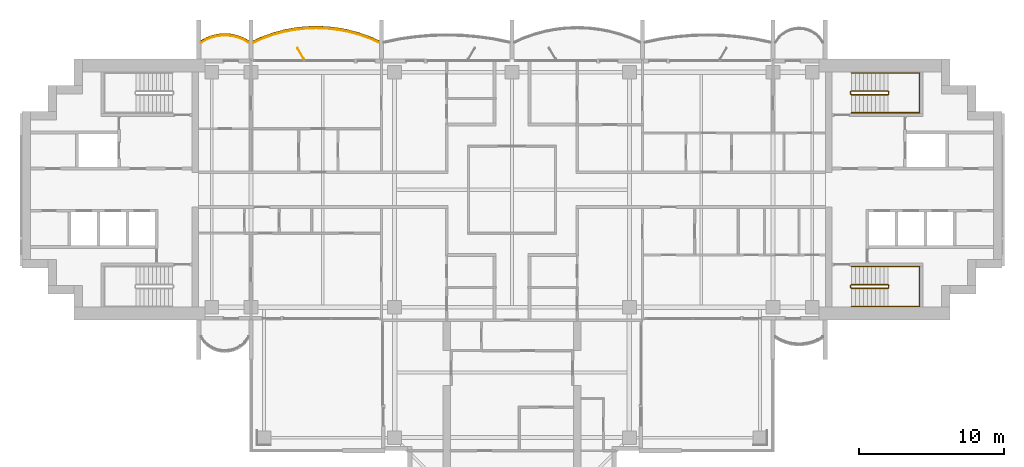
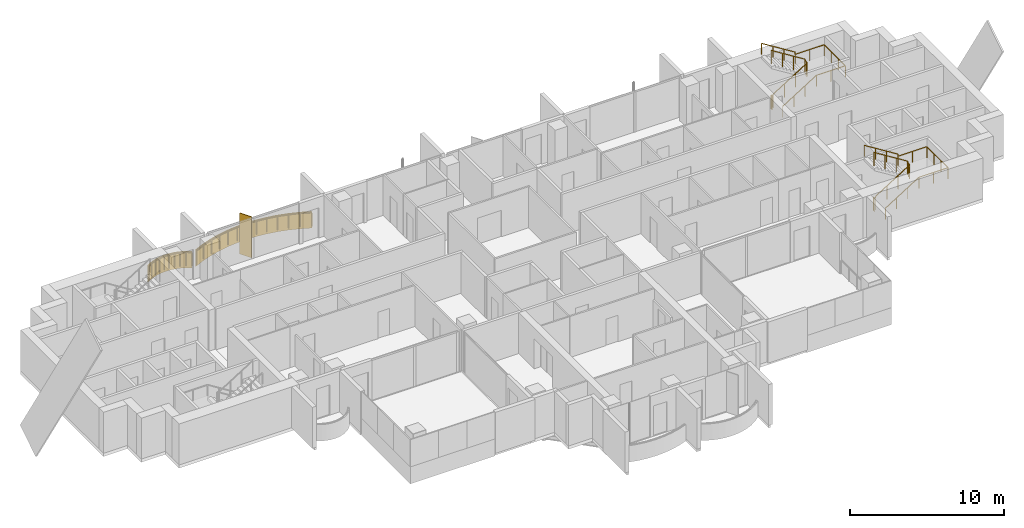
# One storey, part 16 of 17: 6 railings, 2 coverings, 1 shading device.
"""IFC4 building model written with IfcOpenShell, lengths in metres."""

from ifc_helpers import new_model, si_unit, direction, frame, origin, origin_2d, place, context, subcontext, project, spatial, polyline, rectangle, outline, extrude, material, layer, layer_set, type_object, element, save


model = new_model("IFC4")

# Units and contexts
model_context = context("Model", 3, precision=1e-05, world=origin(), true_north=direction((0.0, 1.0)))
body_context = subcontext(model_context, "Body", "Model", "MODEL_VIEW")
ifc_project = project(units=[si_unit("LENGTHUNIT", "METRE"), si_unit("AREAUNIT", "SQUARE_METRE"), si_unit("VOLUMEUNIT", "CUBIC_METRE"), si_unit("PLANEANGLEUNIT", "RADIAN"), si_unit("MASSUNIT", "GRAM", prefix="KILO")], contexts=[model_context])

# Site, building, storey
site_placement = place(None, origin())
site = spatial("IfcSite", under=ifc_project, at=site_placement, CompositionType="ELEMENT")
building_placement = place(site_placement, origin())
building = spatial("IfcBuilding", under=site, at=building_placement, Name="Perihelion Cross Residences", CompositionType="ELEMENT")
storey_placement = place(building_placement, frame((0.0, 0.0, 180.60009765625)))
storey = spatial("IfcBuildingStorey", under=building, at=storey_placement, Name="L44", CompositionType="ELEMENT", Elevation=180.60009765625)

# Coverings
ifc_material_1 = material(Name="Bronze anodised aluminium", Category="aluminium")
ifc_layer_1 = layer(ifc_material_1, 0.070068359375)
ifc_layer_set_1 = layer_set([ifc_layer_1], Name="Balcony fascia 1300")
covering_type = type_object("IfcCoveringType", Name="Balcony fascia 1300", PredefinedType="CLADDING", material=ifc_layer_set_1)
covering_1_placement = place(storey_placement, frame((0.0, 0.0, -0.2001953125)))
element("IfcCovering", 1, at=covering_1_placement, inside=storey, type_object=covering_type, Name="Fascia BF1 L44 west side north bay 1", PredefinedType="CLADDING", context=body_context, shape_type="SweptSolid", body=[
    extrude(outline(polyline([(-9.849365234375, 10.582275390625), (-10.57958984375, 10.83544921875), (-11.309814453125, 11.028076171875), (-12.039794921875, 11.1630859375), (-12.77001953125, 11.243408203125), (-13.5, 11.27001953125), (-14.22998046875, 11.243408203125), (-14.960205078125, 11.1630859375), (-15.690185546875, 11.028076171875), (-16.42041015625, 10.83544921875), (-17.150634765625, 10.582275390625), (-17.85009765625, 10.2763671875), (-17.85009765625, 10.199951171875), (-17.125, 10.51708984375), (-16.39990234375, 10.7685546875), (-15.675048828125, 10.959716796875), (-14.949951171875, 11.093994140625), (-14.22509765625, 11.173583984375), (-13.5, 11.199951171875), (-12.77490234375, 11.173583984375), (-12.050048828125, 11.093994140625), (-11.324951171875, 10.959716796875), (-10.60009765625, 10.7685546875), (-9.875, 10.51708984375), (-9.14990234375, 10.199951171875), (-9.14990234375, 10.2763671875), (-9.849365234375, 10.582275390625)])), origin(), (0.0, 0.0, 1.0), 1.300048828125),
])
covering_2_placement = place(storey_placement, frame((0.0, 0.0, -0.2001953125)))
element("IfcCovering", 2, at=covering_2_placement, inside=storey, type_object=covering_type, Name="Fascia BF1 L44 west side north bay 2", PredefinedType="CLADDING", context=body_context, shape_type="SweptSolid", body=[
    extrude(outline(polyline([(-18.486328125, 10.4716796875), (-18.861572265625, 10.62158203125), (-19.237060546875, 10.717529296875), (-19.6123046875, 10.76416015625), (-19.987548828125, 10.76416015625), (-20.363037109375, 10.717529296875), (-20.73828125, 10.62158203125), (-21.11376953125, 10.4716796875), (-21.449951171875, 10.280517578125), (-21.449951171875, 10.199951171875), (-21.083251953125, 10.40869140625), (-20.716552734375, 10.55517578125), (-20.35009765625, 10.648681640625), (-19.9833984375, 10.6943359375), (-19.61669921875, 10.6943359375), (-19.25, 10.648681640625), (-18.88330078125, 10.55517578125), (-18.5166015625, 10.40869140625), (-18.14990234375, 10.199951171875), (-18.14990234375, 10.280517578125), (-18.486328125, 10.4716796875)])), origin(), (0.0, 0.0, 1.0), 1.300048828125),
])

# Railings
ifc_material_2 = material(Name="Bronze anodised aluminium", Category="aluminium")
railing_type_1 = type_object("IfcRailingType", Name="Balcony guard 1100", PredefinedType="GUARDRAIL", material=ifc_material_2)
railing_1_placement = place(storey_placement, frame((-9.175048828125, 10.139892578125, 0.0)))
element("IfcRailing", 3, at=railing_1_placement, inside=storey, type_object=railing_type_1, Name="Guard GU1 L44 west side north bay 1 balcony", PredefinedType="GUARDRAIL", context=body_context, shape_type="SweptSolid", body=[
    extrude(rectangle(XDim=0.048095703125, YDim=0.048095703125, at=origin_2d()), frame((0.0, 0.0, 1.076171875), z_axis=(-0.910866309087, 0.412701547089, 0.0), x_axis=(-0.412701547089, -0.910866309087, 0.0)), (0.0, 0.0, 1.0), 0.7685546875),
    extrude(rectangle(XDim=0.048095703125, YDim=0.048095703125, at=origin_2d()), frame((-0.699951171875, 0.317138671875, 1.076171875), z_axis=(-0.944796812452, 0.327656807012, 0.0), x_axis=(-0.327656807012, -0.944796812452, 0.0)), (0.0, 0.0, 1.0), 0.767578125),
    extrude(rectangle(XDim=0.048095703125, YDim=0.048095703125, at=origin_2d()), frame((-1.425048828125, 0.568603515625, 1.076171875), z_axis=(-0.966939404945, 0.255006249266, 0.0), x_axis=(-0.255006249266, -0.966939404945, 0.0)), (0.0, 0.0, 1.0), 0.749755859375),
    extrude(rectangle(XDim=0.048095703125, YDim=0.048095703125, at=origin_2d()), frame((-2.14990234375, 0.759765625, 1.076171875), z_axis=(-0.983282004984, 0.182089260182, 0.0), x_axis=(-0.182089260182, -0.983282004984, 0.0)), (0.0, 0.0, 1.0), 0.7373046875),
    extrude(rectangle(XDim=0.048095703125, YDim=0.048095703125, at=origin_2d()), frame((-2.875, 0.89404296875, 1.076171875), z_axis=(-0.994025805622, 0.109145305703, 0.0), x_axis=(-0.109145305703, -0.994025805622, 0.0)), (0.0, 0.0, 1.0), 0.729248046875),
    extrude(rectangle(XDim=0.048095703125, YDim=0.048095703125, at=origin_2d()), frame((-3.599853515625, 0.9736328125, 1.076171875), z_axis=(-0.999339497946, 0.036339618107, 0.0), x_axis=(-0.036339618107, -0.999339497946, 0.0)), (0.0, 0.0, 1.0), 0.7255859375),
    extrude(rectangle(XDim=0.048095703125, YDim=0.048095703125, at=origin_2d()), frame((-4.324951171875, 1.0, 1.076171875), z_axis=(-0.999339497946, -0.036339618107, 0.0), x_axis=(0.036339618107, -0.999339497946, 0.0)), (0.0, 0.0, 1.0), 0.7255859375),
    extrude(rectangle(XDim=0.048095703125, YDim=0.048095703125, at=origin_2d()), frame((-5.050048828125, 0.9736328125, 1.076171875), z_axis=(-0.994025805622, -0.109145305703, 0.0), x_axis=(0.109145305703, -0.994025805622, 0.0)), (0.0, 0.0, 1.0), 0.729248046875),
    extrude(rectangle(XDim=0.048095703125, YDim=0.048095703125, at=origin_2d()), frame((-5.77490234375, 0.89404296875, 1.076171875), z_axis=(-0.983282004984, -0.182089260182, 0.0), x_axis=(0.182089260182, -0.983282004984, 0.0)), (0.0, 0.0, 1.0), 0.7373046875),
    extrude(rectangle(XDim=0.048095703125, YDim=0.048095703125, at=origin_2d()), frame((-6.5, 0.759765625, 1.076171875), z_axis=(-0.966939404945, -0.255006249266, 0.0), x_axis=(0.255006249266, -0.966939404945, 0.0)), (0.0, 0.0, 1.0), 0.749755859375),
    extrude(rectangle(XDim=0.048095703125, YDim=0.048095703125, at=origin_2d()), frame((-7.224853515625, 0.568603515625, 1.076171875), z_axis=(-0.944796812452, -0.327656807012, 0.0), x_axis=(0.327656807012, -0.944796812452, 0.0)), (0.0, 0.0, 1.0), 0.767578125),
    extrude(rectangle(XDim=0.048095703125, YDim=0.048095703125, at=origin_2d()), frame((-7.949951171875, 0.317138671875, 1.076171875), z_axis=(-0.910866309087, -0.412701547089, 0.0), x_axis=(0.412701547089, -0.910866309087, 0.0)), (0.0, 0.0, 1.0), 0.7685546875),
    extrude(rectangle(XDim=0.0419921875, YDim=0.0419921875, at=origin_2d()), origin(), (0.0, 0.0, 1.0), 1.052001953125),
    extrude(rectangle(XDim=0.0419921875, YDim=0.0419921875, at=origin_2d()), frame((-0.699951171875, 0.317138671875, 0.0)), (0.0, 0.0, 1.0), 1.052001953125),
    extrude(rectangle(XDim=0.0419921875, YDim=0.0419921875, at=origin_2d()), frame((-1.425048828125, 0.568603515625, 0.0)), (0.0, 0.0, 1.0), 1.052001953125),
    extrude(rectangle(XDim=0.0419921875, YDim=0.0419921875, at=origin_2d()), frame((-2.14990234375, 0.759765625, 0.0)), (0.0, 0.0, 1.0), 1.052001953125),
    extrude(rectangle(XDim=0.0419921875, YDim=0.0419921875, at=origin_2d()), frame((-2.875, 0.89404296875, 0.0)), (0.0, 0.0, 1.0), 1.052001953125),
    extrude(rectangle(XDim=0.0419921875, YDim=0.0419921875, at=origin_2d()), frame((-3.599853515625, 0.9736328125, 0.0)), (0.0, 0.0, 1.0), 1.052001953125),
    extrude(rectangle(XDim=0.0419921875, YDim=0.0419921875, at=origin_2d()), frame((-4.324951171875, 1.0, 0.0)), (0.0, 0.0, 1.0), 1.052001953125),
    extrude(rectangle(XDim=0.0419921875, YDim=0.0419921875, at=origin_2d()), frame((-5.050048828125, 0.9736328125, 0.0)), (0.0, 0.0, 1.0), 1.052001953125),
    extrude(rectangle(XDim=0.0419921875, YDim=0.0419921875, at=origin_2d()), frame((-5.77490234375, 0.89404296875, 0.0)), (0.0, 0.0, 1.0), 1.052001953125),
    extrude(rectangle(XDim=0.0419921875, YDim=0.0419921875, at=origin_2d()), frame((-6.5, 0.759765625, 0.0)), (0.0, 0.0, 1.0), 1.052001953125),
    extrude(rectangle(XDim=0.0419921875, YDim=0.0419921875, at=origin_2d()), frame((-7.224853515625, 0.568603515625, 0.0)), (0.0, 0.0, 1.0), 1.052001953125),
    extrude(rectangle(XDim=0.0419921875, YDim=0.0419921875, at=origin_2d()), frame((-7.949951171875, 0.317138671875, 0.0)), (0.0, 0.0, 1.0), 1.052001953125),
    extrude(rectangle(XDim=0.0419921875, YDim=0.0419921875, at=origin_2d()), frame((-8.64990234375, 0.0, 0.0)), (0.0, 0.0, 1.0), 1.052001953125),
])
railing_2_placement = place(storey_placement, frame((-18.175048828125, 10.139892578125, 0.0)))
element("IfcRailing", 4, at=railing_2_placement, inside=storey, type_object=railing_type_1, Name="Guard GU1 L44 west side north bay 2 balcony", PredefinedType="GUARDRAIL", context=body_context, shape_type="SweptSolid", body=[
    extrude(rectangle(XDim=0.048095703125, YDim=0.048095703125, at=origin_2d()), frame((0.0, 0.0, 1.076171875), z_axis=(-0.853266756821, 0.52147467983, 0.0), x_axis=(-0.52147467983, -0.853266756821, 0.0)), (0.0, 0.0, 1.0), 0.400390625),
    extrude(rectangle(XDim=0.048095703125, YDim=0.048095703125, at=origin_2d()), frame((-0.341552734375, 0.208740234375, 1.076171875), z_axis=(-0.928647151248, 0.37096424151, 0.0), x_axis=(-0.37096424151, -0.928647151248, 0.0)), (0.0, 0.0, 1.0), 0.394775390625),
    extrude(rectangle(XDim=0.048095703125, YDim=0.048095703125, at=origin_2d()), frame((-0.708251953125, 0.355224609375, 1.076171875), z_axis=(-0.968993337782, 0.247086849781, 0.0), x_axis=(-0.247086849781, -0.968993337782, 0.0)), (0.0, 0.0, 1.0), 0.37841796875),
    extrude(rectangle(XDim=0.048095703125, YDim=0.048095703125, at=origin_2d()), frame((-1.074951171875, 0.44873046875, 1.076171875), z_axis=(-0.992338742457, 0.123546834114, 0.0), x_axis=(-0.123546834114, -0.992338742457, 0.0)), (0.0, 0.0, 1.0), 0.36962890625),
    extrude(rectangle(XDim=0.048095703125, YDim=0.048095703125, at=origin_2d()), frame((-1.441650390625, 0.494384765625, 1.076171875), z_axis=(-1.0, 0.0, 0.0), x_axis=(0.0, -1.0, 0.0)), (0.0, 0.0, 1.0), 0.36669921875),
    extrude(rectangle(XDim=0.048095703125, YDim=0.048095703125, at=origin_2d()), frame((-1.808349609375, 0.494384765625, 1.076171875), z_axis=(-0.992338742457, -0.123546834114, 0.0), x_axis=(0.123546834114, -0.992338742457, 0.0)), (0.0, 0.0, 1.0), 0.36962890625),
    extrude(rectangle(XDim=0.048095703125, YDim=0.048095703125, at=origin_2d()), frame((-2.175048828125, 0.44873046875, 1.076171875), z_axis=(-0.968953914071, -0.247241405123, 0.0), x_axis=(0.247241405123, -0.968953914071, 0.0)), (0.0, 0.0, 1.0), 0.378173828125),
    extrude(rectangle(XDim=0.048095703125, YDim=0.048095703125, at=origin_2d()), frame((-2.54150390625, 0.355224609375, 1.076171875), z_axis=(-0.928647151248, -0.37096424151, 0.0), x_axis=(0.37096424151, -0.928647151248, 0.0)), (0.0, 0.0, 1.0), 0.394775390625),
    extrude(rectangle(XDim=0.048095703125, YDim=0.048095703125, at=origin_2d()), frame((-2.908203125, 0.208740234375, 1.076171875), z_axis=(-0.853432484338, -0.521203410078, 0.0), x_axis=(0.521203410078, -0.853432484338, 0.0)), (0.0, 0.0, 1.0), 0.400390625),
    extrude(rectangle(XDim=0.0419921875, YDim=0.0419921875, at=origin_2d()), origin(), (0.0, 0.0, 1.0), 1.052001953125),
    extrude(rectangle(XDim=0.0419921875, YDim=0.0419921875, at=origin_2d()), frame((-0.341552734375, 0.208740234375, 0.0)), (0.0, 0.0, 1.0), 1.052001953125),
    extrude(rectangle(XDim=0.0419921875, YDim=0.0419921875, at=origin_2d()), frame((-0.708251953125, 0.355224609375, 0.0)), (0.0, 0.0, 1.0), 1.052001953125),
    extrude(rectangle(XDim=0.0419921875, YDim=0.0419921875, at=origin_2d()), frame((-1.074951171875, 0.44873046875, 0.0)), (0.0, 0.0, 1.0), 1.052001953125),
    extrude(rectangle(XDim=0.0419921875, YDim=0.0419921875, at=origin_2d()), frame((-1.441650390625, 0.494384765625, 0.0)), (0.0, 0.0, 1.0), 1.052001953125),
    extrude(rectangle(XDim=0.0419921875, YDim=0.0419921875, at=origin_2d()), frame((-1.808349609375, 0.494384765625, 0.0)), (0.0, 0.0, 1.0), 1.052001953125),
    extrude(rectangle(XDim=0.0419921875, YDim=0.0419921875, at=origin_2d()), frame((-2.175048828125, 0.44873046875, 0.0)), (0.0, 0.0, 1.0), 1.052001953125),
    extrude(rectangle(XDim=0.0419921875, YDim=0.0419921875, at=origin_2d()), frame((-2.54150390625, 0.355224609375, 0.0)), (0.0, 0.0, 1.0), 1.052001953125),
    extrude(rectangle(XDim=0.0419921875, YDim=0.0419921875, at=origin_2d()), frame((-2.908203125, 0.208740234375, 0.0)), (0.0, 0.0, 1.0), 1.052001953125),
    extrude(rectangle(XDim=0.0419921875, YDim=0.0419921875, at=origin_2d()), frame((-3.25, 0.0, 0.0)), (0.0, 0.0, 1.0), 1.052001953125),
])

# Shading device
ifc_material_3 = material(Name="Bronze anodised aluminium", Category="aluminium")
ifc_layer_2 = layer(ifc_material_3, 0.050048828125)
ifc_layer_set_2 = layer_set([ifc_layer_2], Name="Bronze fin 900")
shading_device_type = type_object("IfcShadingDeviceType", Name="Bronze fin 900", PredefinedType="USERDEFINED", material=ifc_layer_set_2)
shading_device_placement = place(storey_placement, frame((-14.574951171875, 9.3896484375, 0.0), z_axis=(0.0, 0.0, 1.0), x_axis=(-0.5, 0.866025403784, 0.0)))
element("IfcShadingDevice", 5, at=shading_device_placement, inside=storey, type_object=shading_device_type, Name="Fin FN1 L44 west side north bay 1", ObjectType="FIN", PredefinedType="USERDEFINED", context=body_context, shape_type="SweptSolid", body=[
    extrude(rectangle(XDim=0.89990234375, YDim=0.050048828125, at=origin_2d()), origin(), (0.0, 0.0, 1.0), 3.25),
])

# Railings
ifc_material_4 = material(Name="Stainless steel", Category="steel")
railing_type_2 = type_object("IfcRailingType", Name="Stair guard 1100", PredefinedType="GUARDRAIL", material=ifc_material_4)
railing_3_placement = place(storey_placement, frame((23.35009765625, 6.75, 0.0)))
element("IfcRailing", 6, at=railing_3_placement, inside=storey, type_object=railing_type_2, Name="L44 ST-E1 stair guard 1", PredefinedType="GUARDRAIL", context=body_context, shape_type="SweptSolid", body=[
    extrude(rectangle(XDim=0.048095703125, YDim=0.048095703125, at=origin_2d()), frame((0.0, 0.0, 1.076171875), z_axis=(0.0, -1.0, 0.0), x_axis=(1.0, 0.0, 0.0)), (0.0, 0.0, 1.0), 0.14990234375),
    extrude(rectangle(XDim=0.048095703125, YDim=0.048095703125, at=origin_2d()), frame((0.0, -0.14990234375, 1.076171875), z_axis=(0.264179342666, -0.265474339444, 0.927217692888), x_axis=(0.708833529934, 0.705375805398, 0.0)), (0.0, 0.0, 1.0), 0.1884765625),
    extrude(rectangle(XDim=0.048095703125, YDim=0.048095703125, at=origin_2d()), frame((0.0498046875, -0.199951171875, 1.2509765625), z_axis=(0.847970611238, 0.0, 0.530043245855), x_axis=(0.0, 1.0, 0.0)), (0.0, 0.0, 1.0), 2.971923828125),
    extrude(rectangle(XDim=0.048095703125, YDim=0.048095703125, at=origin_2d()), frame((2.56982421875, -0.199951171875, 2.826171875), z_axis=(0.707106781187, 0.707106781187, 0.0), x_axis=(-0.707106781187, 0.707106781187, 0.0)), (0.0, 0.0, 1.0), 0.07080078125),
    extrude(rectangle(XDim=0.048095703125, YDim=0.048095703125, at=origin_2d()), frame((2.619873046875, -0.14990234375, 2.826171875), z_axis=(0.0, 1.0, 0.0), x_axis=(-1.0, 0.0, 0.0)), (0.0, 0.0, 1.0), 0.14990234375),
    extrude(rectangle(XDim=0.048095703125, YDim=0.048095703125, at=origin_2d()), frame((2.619873046875, 0.0, 2.826171875), z_axis=(-0.265383341853, 0.265383341853, 0.926899867156), x_axis=(-0.707106781187, -0.707106781187, 0.0)), (0.0, 0.0, 1.0), 0.1884765625),
    extrude(rectangle(XDim=0.048095703125, YDim=0.048095703125, at=origin_2d()), frame((2.56982421875, 0.050048828125, 3.0009765625), z_axis=(-0.847970611238, 0.0, 0.530043245855), x_axis=(0.0, -1.0, 0.0)), (0.0, 0.0, 1.0), 2.971923828125),
    extrude(rectangle(XDim=0.0419921875, YDim=0.0419921875, at=origin_2d()), origin(), (0.0, 0.0, 1.0), 1.052001953125),
    extrude(rectangle(XDim=0.0419921875, YDim=0.0419921875, at=origin_2d()), frame((0.0, -0.14990234375, 0.0)), (0.0, 0.0, 1.0), 1.052001953125),
    extrude(rectangle(XDim=0.0419921875, YDim=0.0419921875, at=origin_2d()), frame((0.0498046875, -0.199951171875, 0.1748046875)), (0.0, 0.0, 1.0), 1.052001953125),
    extrude(rectangle(XDim=0.0419921875, YDim=0.0419921875, at=origin_2d()), frame((0.889892578125, -0.199951171875, 0.699951171875)), (0.0, 0.0, 1.0), 1.052001953125),
    extrude(rectangle(XDim=0.0419921875, YDim=0.0419921875, at=origin_2d()), frame((1.729736328125, -0.199951171875, 1.224853515625)), (0.0, 0.0, 1.0), 1.052001953125),
    extrude(rectangle(XDim=0.0419921875, YDim=0.0419921875, at=origin_2d()), frame((2.56982421875, -0.199951171875, 1.75)), (0.0, 0.0, 1.0), 1.052001953125),
    extrude(rectangle(XDim=0.0419921875, YDim=0.0419921875, at=origin_2d()), frame((2.619873046875, -0.14990234375, 1.75)), (0.0, 0.0, 1.0), 1.052001953125),
    extrude(rectangle(XDim=0.0419921875, YDim=0.0419921875, at=origin_2d()), frame((2.619873046875, 0.0, 1.75)), (0.0, 0.0, 1.0), 1.052001953125),
    extrude(rectangle(XDim=0.0419921875, YDim=0.0419921875, at=origin_2d()), frame((2.56982421875, 0.050048828125, 1.9248046875)), (0.0, 0.0, 1.0), 1.052001953125),
    extrude(rectangle(XDim=0.0419921875, YDim=0.0419921875, at=origin_2d()), frame((1.729736328125, 0.050048828125, 2.449951171875)), (0.0, 0.0, 1.0), 1.052001953125),
    extrude(rectangle(XDim=0.0419921875, YDim=0.0419921875, at=origin_2d()), frame((0.889892578125, 0.050048828125, 2.974853515625)), (0.0, 0.0, 1.0), 1.052001953125),
    extrude(rectangle(XDim=0.0419921875, YDim=0.0419921875, at=origin_2d()), frame((0.0498046875, 0.050048828125, 3.5)), (0.0, 0.0, 1.0), 1.052001953125),
])
railing_4_placement = place(storey_placement, frame((23.35009765625, -6.60009765625, 0.0)))
element("IfcRailing", 7, at=railing_4_placement, inside=storey, type_object=railing_type_2, Name="L44 ST-E2 stair guard 1", PredefinedType="GUARDRAIL", context=body_context, shape_type="SweptSolid", body=[
    extrude(rectangle(XDim=0.048095703125, YDim=0.048095703125, at=origin_2d()), frame((0.0, 0.0, 1.076171875), z_axis=(0.0, -1.0, 0.0), x_axis=(1.0, 0.0, 0.0)), (0.0, 0.0, 1.0), 0.14990234375),
    extrude(rectangle(XDim=0.048095703125, YDim=0.048095703125, at=origin_2d()), frame((0.0, -0.14990234375, 1.076171875), z_axis=(0.264179342666, -0.265474339444, 0.927217692888), x_axis=(0.708833529934, 0.705375805398, 0.0)), (0.0, 0.0, 1.0), 0.1884765625),
    extrude(rectangle(XDim=0.048095703125, YDim=0.048095703125, at=origin_2d()), frame((0.0498046875, -0.199951171875, 1.2509765625), z_axis=(0.847970611238, 0.0, 0.530043245855), x_axis=(0.0, 1.0, 0.0)), (0.0, 0.0, 1.0), 2.971923828125),
    extrude(rectangle(XDim=0.048095703125, YDim=0.048095703125, at=origin_2d()), frame((2.56982421875, -0.199951171875, 2.826171875), z_axis=(0.707106781187, 0.707106781187, 0.0), x_axis=(-0.707106781187, 0.707106781187, 0.0)), (0.0, 0.0, 1.0), 0.07080078125),
    extrude(rectangle(XDim=0.048095703125, YDim=0.048095703125, at=origin_2d()), frame((2.619873046875, -0.14990234375, 2.826171875), z_axis=(0.0, 1.0, 0.0), x_axis=(-1.0, 0.0, 0.0)), (0.0, 0.0, 1.0), 0.14990234375),
    extrude(rectangle(XDim=0.048095703125, YDim=0.048095703125, at=origin_2d()), frame((2.619873046875, 0.0, 2.826171875), z_axis=(-0.265383341853, 0.265383341853, 0.926899867156), x_axis=(-0.707106781187, -0.707106781187, 0.0)), (0.0, 0.0, 1.0), 0.1884765625),
    extrude(rectangle(XDim=0.048095703125, YDim=0.048095703125, at=origin_2d()), frame((2.56982421875, 0.050048828125, 3.0009765625), z_axis=(-0.847970611238, 0.0, 0.530043245855), x_axis=(0.0, -1.0, 0.0)), (0.0, 0.0, 1.0), 2.971923828125),
    extrude(rectangle(XDim=0.0419921875, YDim=0.0419921875, at=origin_2d()), origin(), (0.0, 0.0, 1.0), 1.052001953125),
    extrude(rectangle(XDim=0.0419921875, YDim=0.0419921875, at=origin_2d()), frame((0.0, -0.14990234375, 0.0)), (0.0, 0.0, 1.0), 1.052001953125),
    extrude(rectangle(XDim=0.0419921875, YDim=0.0419921875, at=origin_2d()), frame((0.0498046875, -0.199951171875, 0.1748046875)), (0.0, 0.0, 1.0), 1.052001953125),
    extrude(rectangle(XDim=0.0419921875, YDim=0.0419921875, at=origin_2d()), frame((0.889892578125, -0.199951171875, 0.699951171875)), (0.0, 0.0, 1.0), 1.052001953125),
    extrude(rectangle(XDim=0.0419921875, YDim=0.0419921875, at=origin_2d()), frame((1.729736328125, -0.199951171875, 1.224853515625)), (0.0, 0.0, 1.0), 1.052001953125),
    extrude(rectangle(XDim=0.0419921875, YDim=0.0419921875, at=origin_2d()), frame((2.56982421875, -0.199951171875, 1.75)), (0.0, 0.0, 1.0), 1.052001953125),
    extrude(rectangle(XDim=0.0419921875, YDim=0.0419921875, at=origin_2d()), frame((2.619873046875, -0.14990234375, 1.75)), (0.0, 0.0, 1.0), 1.052001953125),
    extrude(rectangle(XDim=0.0419921875, YDim=0.0419921875, at=origin_2d()), frame((2.619873046875, 0.0, 1.75)), (0.0, 0.0, 1.0), 1.052001953125),
    extrude(rectangle(XDim=0.0419921875, YDim=0.0419921875, at=origin_2d()), frame((2.56982421875, 0.050048828125, 1.9248046875)), (0.0, 0.0, 1.0), 1.052001953125),
    extrude(rectangle(XDim=0.0419921875, YDim=0.0419921875, at=origin_2d()), frame((1.729736328125, 0.050048828125, 2.449951171875)), (0.0, 0.0, 1.0), 1.052001953125),
    extrude(rectangle(XDim=0.0419921875, YDim=0.0419921875, at=origin_2d()), frame((0.889892578125, 0.050048828125, 2.974853515625)), (0.0, 0.0, 1.0), 1.052001953125),
    extrude(rectangle(XDim=0.0419921875, YDim=0.0419921875, at=origin_2d()), frame((0.0498046875, 0.050048828125, 3.5)), (0.0, 0.0, 1.0), 1.052001953125),
])
ifc_material_5 = material(Name="Stainless steel", Category="steel")
railing_type_3 = type_object("IfcRailingType", Name="Stair handrail 900", PredefinedType="HANDRAIL", material=ifc_material_5)
railing_5_placement = place(storey_placement, frame((23.39990234375, 5.300048828125, 0.1748046875)))
element("IfcRailing", 8, at=railing_5_placement, inside=storey, type_object=railing_type_3, Name="L44 ST-E1 stair handrail 1", PredefinedType="HANDRAIL", context=body_context, shape_type="SweptSolid", body=[
    extrude(rectangle(XDim=0.048095703125, YDim=0.048095703125, at=origin_2d()), frame((0.0, 0.0, 0.8759765625), z_axis=(0.847970611238, 0.0, 0.530043245855), x_axis=(0.0, 1.0, 0.0)), (0.0, 0.0, 1.0), 2.971923828125),
    extrude(rectangle(XDim=0.048095703125, YDim=0.048095703125, at=origin_2d()), frame((2.52001953125, 0.0, 2.451171875), z_axis=(1.0, 0.0, 0.0), x_axis=(0.0, 1.0, 0.0)), (0.0, 0.0, 1.0), 2.18017578125),
    extrude(rectangle(XDim=0.048095703125, YDim=0.048095703125, at=origin_2d()), frame((4.7001953125, 0.0, 2.451171875), z_axis=(0.0, 1.0, 0.0), x_axis=(-1.0, 0.0, 0.0)), (0.0, 0.0, 1.0), 2.75),
    extrude(rectangle(XDim=0.048095703125, YDim=0.048095703125, at=origin_2d()), frame((4.7001953125, 2.75, 2.451171875), z_axis=(-1.0, 0.0, 0.0), x_axis=(0.0, -1.0, 0.0)), (0.0, 0.0, 1.0), 2.18017578125),
    extrude(rectangle(XDim=0.048095703125, YDim=0.048095703125, at=origin_2d()), frame((2.52001953125, 2.75, 2.451171875), z_axis=(0.0, 0.0, 1.0), x_axis=(1.0, 0.0, 0.0)), (0.0, 0.0, 1.0), 0.1748046875),
    extrude(rectangle(XDim=0.048095703125, YDim=0.048095703125, at=origin_2d()), frame((2.52001953125, 2.75, 2.6259765625), z_axis=(-0.847970611238, 0.0, 0.530043245855), x_axis=(0.0, -1.0, 0.0)), (0.0, 0.0, 1.0), 2.971923828125),
    extrude(rectangle(XDim=0.0419921875, YDim=0.0419921875, at=origin_2d()), origin(), (0.0, 0.0, 1.0), 0.851806640625),
    extrude(rectangle(XDim=0.0419921875, YDim=0.0419921875, at=origin_2d()), frame((0.840087890625, 0.0, 0.525146484375)), (0.0, 0.0, 1.0), 0.851806640625),
    extrude(rectangle(XDim=0.0419921875, YDim=0.0419921875, at=origin_2d()), frame((1.679931640625, 0.0, 1.050048828125)), (0.0, 0.0, 1.0), 0.851806640625),
    extrude(rectangle(XDim=0.0419921875, YDim=0.0419921875, at=origin_2d()), frame((2.52001953125, 0.0, 1.5751953125)), (0.0, 0.0, 1.0), 0.851806640625),
    extrude(rectangle(XDim=0.0419921875, YDim=0.0419921875, at=origin_2d()), frame((3.610107421875, 0.0, 1.5751953125)), (0.0, 0.0, 1.0), 0.851806640625),
    extrude(rectangle(XDim=0.0419921875, YDim=0.0419921875, at=origin_2d()), frame((4.7001953125, 0.0, 1.5751953125)), (0.0, 0.0, 1.0), 0.851806640625),
    extrude(rectangle(XDim=0.0419921875, YDim=0.0419921875, at=origin_2d()), frame((4.7001953125, 0.916748046875, 1.5751953125)), (0.0, 0.0, 1.0), 0.851806640625),
    extrude(rectangle(XDim=0.0419921875, YDim=0.0419921875, at=origin_2d()), frame((4.7001953125, 1.833251953125, 1.5751953125)), (0.0, 0.0, 1.0), 0.851806640625),
    extrude(rectangle(XDim=0.0419921875, YDim=0.0419921875, at=origin_2d()), frame((4.7001953125, 2.75, 1.5751953125)), (0.0, 0.0, 1.0), 0.851806640625),
    extrude(rectangle(XDim=0.0419921875, YDim=0.0419921875, at=origin_2d()), frame((3.610107421875, 2.75, 1.5751953125)), (0.0, 0.0, 1.0), 0.851806640625),
    extrude(rectangle(XDim=0.0419921875, YDim=0.0419921875, at=origin_2d()), frame((2.52001953125, 2.75, 1.5751953125)), (0.0, 0.0, 1.0), 0.851806640625),
    extrude(rectangle(XDim=0.0419921875, YDim=0.0419921875, at=origin_2d()), frame((2.52001953125, 2.75, 1.75)), (0.0, 0.0, 1.0), 0.851806640625),
    extrude(rectangle(XDim=0.0419921875, YDim=0.0419921875, at=origin_2d()), frame((1.679931640625, 2.75, 2.275146484375)), (0.0, 0.0, 1.0), 0.851806640625),
    extrude(rectangle(XDim=0.0419921875, YDim=0.0419921875, at=origin_2d()), frame((0.840087890625, 2.75, 2.800048828125)), (0.0, 0.0, 1.0), 0.851806640625),
    extrude(rectangle(XDim=0.0419921875, YDim=0.0419921875, at=origin_2d()), frame((0.0, 2.75, 3.3251953125)), (0.0, 0.0, 1.0), 0.851806640625),
])
railing_6_placement = place(storey_placement, frame((23.39990234375, -8.050048828125, 0.1748046875)))
element("IfcRailing", 9, at=railing_6_placement, inside=storey, type_object=railing_type_3, Name="L44 ST-E2 stair handrail 1", PredefinedType="HANDRAIL", context=body_context, shape_type="SweptSolid", body=[
    extrude(rectangle(XDim=0.048095703125, YDim=0.048095703125, at=origin_2d()), frame((0.0, 0.0, 0.8759765625), z_axis=(0.847970611238, 0.0, 0.530043245855), x_axis=(0.0, 1.0, 0.0)), (0.0, 0.0, 1.0), 2.971923828125),
    extrude(rectangle(XDim=0.048095703125, YDim=0.048095703125, at=origin_2d()), frame((2.52001953125, 0.0, 2.451171875), z_axis=(1.0, 0.0, 0.0), x_axis=(0.0, 1.0, 0.0)), (0.0, 0.0, 1.0), 2.18017578125),
    extrude(rectangle(XDim=0.048095703125, YDim=0.048095703125, at=origin_2d()), frame((4.7001953125, 0.0, 2.451171875), z_axis=(0.0, 1.0, 0.0), x_axis=(-1.0, 0.0, 0.0)), (0.0, 0.0, 1.0), 2.75),
    extrude(rectangle(XDim=0.048095703125, YDim=0.048095703125, at=origin_2d()), frame((4.7001953125, 2.75, 2.451171875), z_axis=(-1.0, 0.0, 0.0), x_axis=(0.0, -1.0, 0.0)), (0.0, 0.0, 1.0), 2.18017578125),
    extrude(rectangle(XDim=0.048095703125, YDim=0.048095703125, at=origin_2d()), frame((2.52001953125, 2.75, 2.451171875), z_axis=(0.0, 0.0, 1.0), x_axis=(1.0, 0.0, 0.0)), (0.0, 0.0, 1.0), 0.1748046875),
    extrude(rectangle(XDim=0.048095703125, YDim=0.048095703125, at=origin_2d()), frame((2.52001953125, 2.75, 2.6259765625), z_axis=(-0.847970611238, 0.0, 0.530043245855), x_axis=(0.0, -1.0, 0.0)), (0.0, 0.0, 1.0), 2.971923828125),
    extrude(rectangle(XDim=0.0419921875, YDim=0.0419921875, at=origin_2d()), origin(), (0.0, 0.0, 1.0), 0.851806640625),
    extrude(rectangle(XDim=0.0419921875, YDim=0.0419921875, at=origin_2d()), frame((0.840087890625, 0.0, 0.525146484375)), (0.0, 0.0, 1.0), 0.851806640625),
    extrude(rectangle(XDim=0.0419921875, YDim=0.0419921875, at=origin_2d()), frame((1.679931640625, 0.0, 1.050048828125)), (0.0, 0.0, 1.0), 0.851806640625),
    extrude(rectangle(XDim=0.0419921875, YDim=0.0419921875, at=origin_2d()), frame((2.52001953125, 0.0, 1.5751953125)), (0.0, 0.0, 1.0), 0.851806640625),
    extrude(rectangle(XDim=0.0419921875, YDim=0.0419921875, at=origin_2d()), frame((3.610107421875, 0.0, 1.5751953125)), (0.0, 0.0, 1.0), 0.851806640625),
    extrude(rectangle(XDim=0.0419921875, YDim=0.0419921875, at=origin_2d()), frame((4.7001953125, 0.0, 1.5751953125)), (0.0, 0.0, 1.0), 0.851806640625),
    extrude(rectangle(XDim=0.0419921875, YDim=0.0419921875, at=origin_2d()), frame((4.7001953125, 0.916748046875, 1.5751953125)), (0.0, 0.0, 1.0), 0.851806640625),
    extrude(rectangle(XDim=0.0419921875, YDim=0.0419921875, at=origin_2d()), frame((4.7001953125, 1.833251953125, 1.5751953125)), (0.0, 0.0, 1.0), 0.851806640625),
    extrude(rectangle(XDim=0.0419921875, YDim=0.0419921875, at=origin_2d()), frame((4.7001953125, 2.75, 1.5751953125)), (0.0, 0.0, 1.0), 0.851806640625),
    extrude(rectangle(XDim=0.0419921875, YDim=0.0419921875, at=origin_2d()), frame((3.610107421875, 2.75, 1.5751953125)), (0.0, 0.0, 1.0), 0.851806640625),
    extrude(rectangle(XDim=0.0419921875, YDim=0.0419921875, at=origin_2d()), frame((2.52001953125, 2.75, 1.5751953125)), (0.0, 0.0, 1.0), 0.851806640625),
    extrude(rectangle(XDim=0.0419921875, YDim=0.0419921875, at=origin_2d()), frame((2.52001953125, 2.75, 1.75)), (0.0, 0.0, 1.0), 0.851806640625),
    extrude(rectangle(XDim=0.0419921875, YDim=0.0419921875, at=origin_2d()), frame((1.679931640625, 2.75, 2.275146484375)), (0.0, 0.0, 1.0), 0.851806640625),
    extrude(rectangle(XDim=0.0419921875, YDim=0.0419921875, at=origin_2d()), frame((0.840087890625, 2.75, 2.800048828125)), (0.0, 0.0, 1.0), 0.851806640625),
    extrude(rectangle(XDim=0.0419921875, YDim=0.0419921875, at=origin_2d()), frame((0.0, 2.75, 3.3251953125)), (0.0, 0.0, 1.0), 0.851806640625),
])

save(model, "model.ifc")
